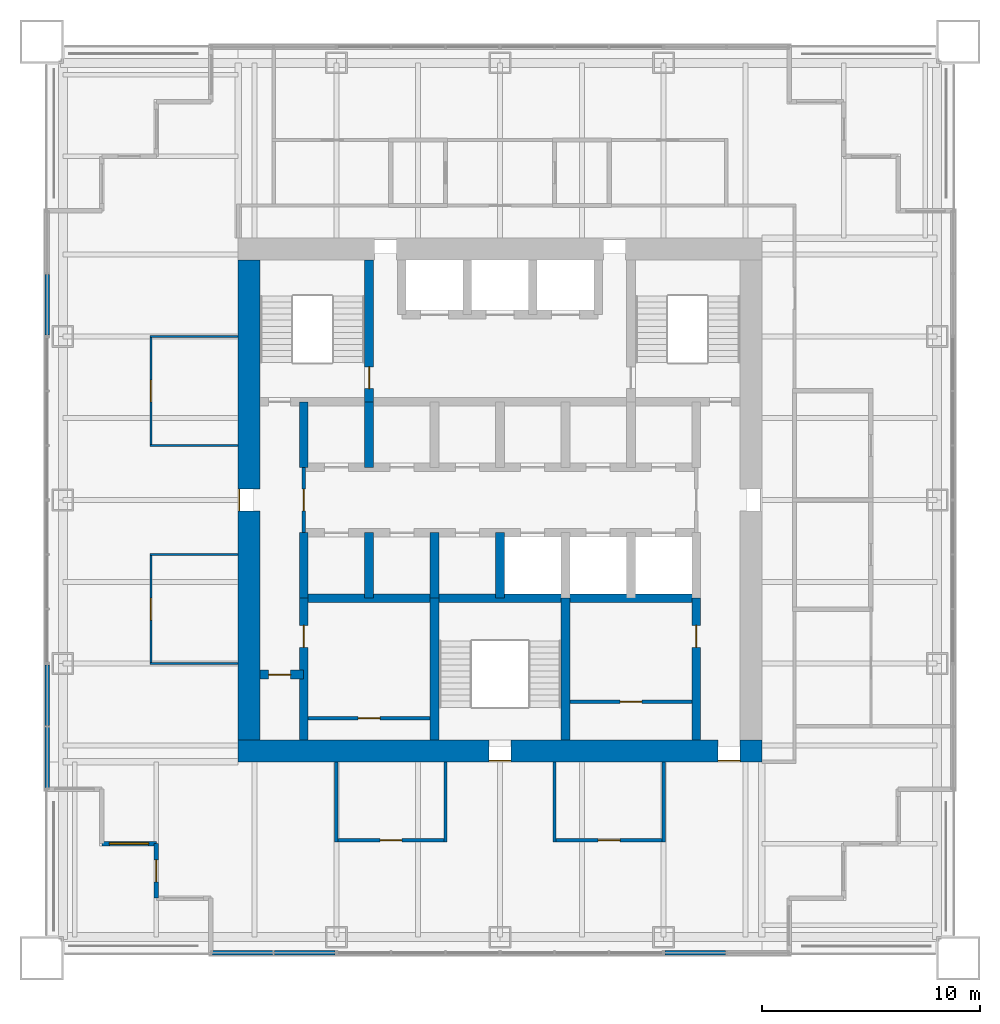
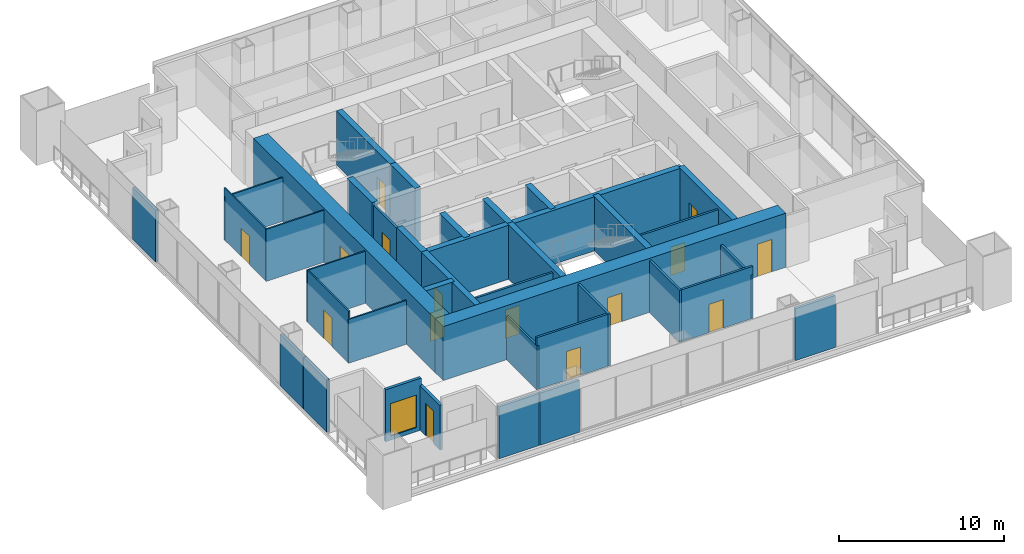
# One storey, part 9 of 14: 38 walls, 15 doors, 1 window, 16 openings.
"""IFC4 building model written with IfcOpenShell, lengths in metres."""

from ifc_helpers import new_model, si_unit, direction, frame, frame_2d, origin, place, context, subcontext, project, spatial, rectangle, extrude, material, layer, layer_set, type_object, element, fill, save


model = new_model("IFC4")

# Units and contexts
model_context = context("Model", 3, precision=1e-05, world=origin(), true_north=direction((0.0, 1.0)))
body_context = subcontext(model_context, "Body", "Model", "MODEL_VIEW")
ifc_project = project(units=[si_unit("LENGTHUNIT", "METRE"), si_unit("AREAUNIT", "SQUARE_METRE"), si_unit("VOLUMEUNIT", "CUBIC_METRE"), si_unit("PLANEANGLEUNIT", "RADIAN"), si_unit("MASSUNIT", "GRAM", prefix="KILO")], contexts=[model_context])

# Site, building, storey
site_placement = place(None, origin())
site = spatial("IfcSite", under=ifc_project, at=site_placement, CompositionType="ELEMENT")
building_placement = place(site_placement, origin())
building = spatial("IfcBuilding", under=site, at=building_placement, Name="Tarangal Relay Tower", CompositionType="ELEMENT")
storey_placement = place(building_placement, frame((0.0, 0.0, 323.89990234375)))
storey = spatial("IfcBuildingStorey", under=building, at=storey_placement, Name="L72", CompositionType="ELEMENT", Elevation=323.89990234375)

# Wall
ifc_material_1 = material(Name="Concrete fc' 60 MPa", Category="concrete")
ifc_layer_1 = layer(ifc_material_1, 0.39990234375)
ifc_layer_set_1 = layer_set([ifc_layer_1], Name="Core inner wall 400")
wall_type_1 = type_object("IfcWallType", Name="Core inner wall 400", PredefinedType="SHEAR", material=ifc_layer_set_1)
wall_1_placement = place(storey_placement, frame((-9.0, -4.5, 0.0), z_axis=(0.0, 0.0, 1.0), x_axis=(1.0, 0.0, 0.0)))
element("IfcWall", 1, at=wall_1_placement, inside=storey, type_object=wall_type_1, Name="Core wall YM45 L72", PredefinedType="SHEAR", context=body_context, shape_type="SweptSolid", body=[
    extrude(rectangle(XDim=18.0, YDim=0.39990234375, at=frame_2d((9.0, 0.0))), origin(), (0.0, 0.0, 1.0), 4.0),
])

# Wall, opening, door
wall_2_placement = place(storey_placement, frame((-11.0, -8.0, 0.0), z_axis=(0.0, 0.0, 1.0), x_axis=(1.0, 0.0, 0.0)))
wall_2 = element("IfcWall", 2, at=wall_2_placement, inside=storey, type_object=wall_type_1, Name="Core wall YM8 L72", PredefinedType="SHEAR", context=body_context, shape_type="SweptSolid", body=[
    extrude(rectangle(XDim=2.0, YDim=0.39990234375, at=frame_2d((1.0, 0.0))), origin(), (0.0, 0.0, 1.0), 4.0),
])
opening_1_placement = place(wall_2_placement, frame((0.39990234375, 0.0, 0.0)))
opening_1 = element("IfcOpeningElement", 3, at=opening_1_placement, cuts=wall_2, Name="Opening D1", PredefinedType="OPENING", context=body_context, shape_type="SweptSolid", body=[
    extrude(rectangle(XDim=1.0, YDim=2.10009765625, at=frame_2d((0.5, 1.050048828125))), frame((0.0, 0.2099609375, 0.0), z_axis=(0.0, -1.0, 0.0), x_axis=(1.0, 0.0, 0.0)), (0.0, 0.0, 1.0), 0.419921875),
])
ifc_material_2 = material(Name="Hardwood door", Category="wood")
door_type_1 = type_object("IfcDoorType", Name="WC door 1000 x 2100", OperationType="SINGLE_SWING_LEFT", PredefinedType="DOOR", material=ifc_material_2)
door_1_placement = place(opening_1_placement, origin())
door_1 = element("IfcDoor", 4, at=door_1_placement, inside=storey, type_object=door_type_1, Name="Accessible WC door L72", OperationType="SINGLE_SWING_LEFT", OverallHeight=2.10009765625, OverallWidth=1.0, PredefinedType="DOOR", context=body_context, shape_type="SweptSolid", body=[
    extrude(rectangle(XDim=1.0, YDim=2.10009765625, at=frame_2d((0.5, 1.050048828125))), frame((0.0, 0.02490234375, 0.0), z_axis=(0.0, -1.0, 0.0), x_axis=(1.0, 0.0, 0.0)), (0.0, 0.0, 1.0), 0.050048828125),
])
fill(opening_1, door_1)

# Walls
for number, where, z_axis, x_axis, name in (
    (5, (-9.0, 1.5, 0.0), (0.0, 0.0, 1.0), (0.0, 1.0, 0.0), "Core wall XM9N L72"),
    (6, (-9.0, -4.5, 0.0), (0.0, 0.0, 1.0), (0.0, 1.0, 0.0), "Core wall XM9S L72"),
    (7, (-6.0, 1.5, 0.0), (0.0, 0.0, 1.0), (0.0, 1.0, 0.0), "Core wall XM6N L72"),
    (8, (-6.0, -4.5, 0.0), (0.0, 0.0, 1.0), (0.0, 1.0, 0.0), "Core wall XM6S L72"),
    (9, (-3.0, -4.5, 0.0), (0.0, 0.0, 1.0), (0.0, 1.0, 0.0), "Core wall XM3S L72"),
    (10, (0.0, -4.5, 0.0), (0.0, 0.0, 1.0), (0.0, 1.0, 0.0), "Core wall X0S L72"),
):
    element("IfcWall", number, at=place(storey_placement, frame(where, z_axis=z_axis, x_axis=x_axis)), inside=storey, type_object=wall_type_1, Name=name, PredefinedType="SHEAR", context=body_context, shape_type="SweptSolid", body=[
        extrude(rectangle(XDim=3.0, YDim=0.39990234375, at=frame_2d((1.5, 0.0))), origin(), (0.0, 0.0, 1.0), 4.0),
    ])

# Wall, opening, door
wall_3_placement = place(storey_placement, frame((-6.0, 4.5, 0.0), z_axis=(0.0, 0.0, 1.0), x_axis=(0.0, 1.0, 0.0)))
wall_3 = element("IfcWall", 11, at=wall_3_placement, inside=storey, type_object=wall_type_1, Name="Core wall XM6 L72", PredefinedType="SHEAR", context=body_context, shape_type="SweptSolid", body=[
    extrude(rectangle(XDim=6.5, YDim=0.39990234375, at=frame_2d((3.25, 0.0))), origin(), (0.0, 0.0, 1.0), 4.0),
])
opening_2_placement = place(wall_3_placement, frame((0.60009765625, 0.0, 0.0)))
opening_2 = element("IfcOpeningElement", 12, at=opening_2_placement, cuts=wall_3, Name="Opening FD1", PredefinedType="OPENING", context=body_context, shape_type="SweptSolid", body=[
    extrude(rectangle(XDim=1.0, YDim=2.10009765625, at=frame_2d((0.5, 1.050048828125))), frame((0.0, 0.2099609375, 0.0), z_axis=(0.0, -1.0, 0.0), x_axis=(1.0, 0.0, 0.0)), (0.0, 0.0, 1.0), 0.419921875),
])
ifc_material_3 = material(Name="Steel door with hardwood frame", Category="steel")
door_type_2 = type_object("IfcDoorType", Name="Fire door 1000 x 2100", OperationType="SINGLE_SWING_LEFT", PredefinedType="DOOR", material=ifc_material_3)
door_2_placement = place(opening_2_placement, origin())
door_2 = element("IfcDoor", 13, at=door_2_placement, inside=storey, type_object=door_type_2, Name="Stair ST-A door from fire-fighting lobby L72", OperationType="SINGLE_SWING_LEFT", OverallHeight=2.10009765625, OverallWidth=1.0, PredefinedType="DOOR", context=body_context, shape_type="SweptSolid", body=[
    extrude(rectangle(XDim=1.0, YDim=2.10009765625, at=frame_2d((0.5, 1.050048828125))), frame((0.0, 0.02490234375, 0.0), z_axis=(0.0, -1.0, 0.0), x_axis=(1.0, 0.0, 0.0)), (0.0, 0.0, 1.0), 0.050048828125),
])
fill(opening_2, door_2)

wall_4_placement = place(storey_placement, frame((-9.0, -11.0, 0.0), z_axis=(0.0, 0.0, 1.0), x_axis=(0.0, 1.0, 0.0)))
wall_4 = element("IfcWall", 14, at=wall_4_placement, inside=storey, type_object=wall_type_1, Name="Core wall XM9W L72", PredefinedType="SHEAR", context=body_context, shape_type="SweptSolid", body=[
    extrude(rectangle(XDim=6.5, YDim=0.39990234375, at=frame_2d((3.25, 0.0))), origin(), (0.0, 0.0, 1.0), 4.0),
])
opening_3_placement = place(wall_4_placement, frame((4.25, 0.0, 0.0)))
opening_3 = element("IfcOpeningElement", 15, at=opening_3_placement, cuts=wall_4, Name="Opening D1", PredefinedType="OPENING", context=body_context, shape_type="SweptSolid", body=[
    extrude(rectangle(XDim=1.0, YDim=2.10009765625, at=frame_2d((0.5, 1.050048828125))), frame((0.0, 0.2099609375, 0.0), z_axis=(0.0, -1.0, 0.0), x_axis=(1.0, 0.0, 0.0)), (0.0, 0.0, 1.0), 0.419921875),
])
door_3_placement = place(opening_3_placement, origin())
door_3 = element("IfcDoor", 16, at=door_3_placement, inside=storey, type_object=door_type_1, Name="Male WC door L72", OperationType="SINGLE_SWING_LEFT", OverallHeight=2.10009765625, OverallWidth=1.0, PredefinedType="DOOR", context=body_context, shape_type="SweptSolid", body=[
    extrude(rectangle(XDim=1.0, YDim=2.10009765625, at=frame_2d((0.5, 1.050048828125))), frame((0.0, 0.02490234375, 0.0), z_axis=(0.0, -1.0, 0.0), x_axis=(1.0, 0.0, 0.0)), (0.0, 0.0, 1.0), 0.050048828125),
])
fill(opening_3, door_3)

wall_5_placement = place(storey_placement, frame((9.0, -11.0, 0.0), z_axis=(0.0, 0.0, 1.0), x_axis=(0.0, 1.0, 0.0)))
wall_5 = element("IfcWall", 17, at=wall_5_placement, inside=storey, type_object=wall_type_1, Name="Core wall X9W L72", PredefinedType="SHEAR", context=body_context, shape_type="SweptSolid", body=[
    extrude(rectangle(XDim=6.5, YDim=0.39990234375, at=frame_2d((3.25, 0.0))), origin(), (0.0, 0.0, 1.0), 4.0),
])
opening_4_placement = place(wall_5_placement, frame((4.25, 0.0, 0.0)))
opening_4 = element("IfcOpeningElement", 18, at=opening_4_placement, cuts=wall_5, Name="Opening D1", PredefinedType="OPENING", context=body_context, shape_type="SweptSolid", body=[
    extrude(rectangle(XDim=1.0, YDim=2.10009765625, at=frame_2d((0.5, 1.050048828125))), frame((0.0, 0.2099609375, 0.0), z_axis=(0.0, -1.0, 0.0), x_axis=(1.0, 0.0, 0.0)), (0.0, 0.0, 1.0), 0.419921875),
])
door_4_placement = place(opening_4_placement, origin())
door_4 = element("IfcDoor", 19, at=door_4_placement, inside=storey, type_object=door_type_1, Name="Female WC door L72", OperationType="SINGLE_SWING_LEFT", OverallHeight=2.10009765625, OverallWidth=1.0, PredefinedType="DOOR", context=body_context, shape_type="SweptSolid", body=[
    extrude(rectangle(XDim=1.0, YDim=2.10009765625, at=frame_2d((0.5, 1.050048828125))), frame((0.0, 0.02490234375, 0.0), z_axis=(0.0, -1.0, 0.0), x_axis=(1.0, 0.0, 0.0)), (0.0, 0.0, 1.0), 0.050048828125),
])
fill(opening_4, door_4)

# Walls
for number, where, z_axis, x_axis, name in (
    (20, (-3.0, -11.0, 0.0), (0.0, 0.0, 1.0), (0.0, 1.0, 0.0), "Core wall XM3W L72"),
    (21, (3.0, -11.0, 0.0), (0.0, 0.0, 1.0), (0.0, 1.0, 0.0), "Core wall X3W L72"),
):
    element("IfcWall", number, at=place(storey_placement, frame(where, z_axis=z_axis, x_axis=x_axis)), inside=storey, type_object=wall_type_1, Name=name, PredefinedType="SHEAR", context=body_context, shape_type="SweptSolid", body=[
        extrude(rectangle(XDim=6.5, YDim=0.39990234375, at=frame_2d((3.25, 0.0))), origin(), (0.0, 0.0, 1.0), 4.0),
    ])

# Wall, openings, doors
ifc_layer_2 = layer(ifc_material_1, 1.0)
ifc_layer_set_2 = layer_set([ifc_layer_2], Name="Core wall 1000")
wall_type_2 = type_object("IfcWallType", Name="Core wall 1000", PredefinedType="SHEAR", material=ifc_layer_set_2)
wall_6_placement = place(storey_placement, frame((12.0, -11.5, 0.0), z_axis=(0.0, 0.0, 1.0), x_axis=(-1.0, 0.0, 0.0)))
wall_6 = element("IfcWall", 22, at=wall_6_placement, inside=storey, type_object=wall_type_2, Name="Core wall S L72", PredefinedType="SHEAR", context=body_context, shape_type="SweptSolid", body=[
    extrude(rectangle(XDim=24.0, YDim=1.0, at=frame_2d((12.0, 0.0))), origin(), (0.0, 0.0, 1.0), 4.0),
])
opening_5_placement = place(wall_6_placement, frame((11.5, 0.0, 0.0)))
opening_5 = element("IfcOpeningElement", 23, at=opening_5_placement, cuts=wall_6, Name="Opening FD1", PredefinedType="OPENING", context=body_context, shape_type="SweptSolid", body=[
    extrude(rectangle(XDim=1.0, YDim=2.10009765625, at=frame_2d((0.5, 1.050048828125))), frame((0.0, 0.510009765625, 0.0), z_axis=(0.0, -1.0, 0.0), x_axis=(1.0, 0.0, 0.0)), (0.0, 0.0, 1.0), 1.02001953125),
])
opening_6_placement = place(wall_6_placement, frame((1.0, 0.0, 0.0)))
opening_6 = element("IfcOpeningElement", 24, at=opening_6_placement, cuts=wall_6, Name="Opening FD3", PredefinedType="OPENING", context=body_context, shape_type="SweptSolid", body=[
    extrude(rectangle(XDim=1.0, YDim=2.39990234375, at=frame_2d((0.5, 1.199951171875))), frame((0.0, 0.510009765625, 0.0), z_axis=(0.0, -1.0, 0.0), x_axis=(1.0, 0.0, 0.0)), (0.0, 0.0, 1.0), 1.02001953125),
])
door_5_placement = place(opening_5_placement, origin())
door_5 = element("IfcDoor", 25, at=door_5_placement, inside=storey, type_object=door_type_2, Name="Stair ST-C door L72", OperationType="SINGLE_SWING_LEFT", OverallHeight=2.10009765625, OverallWidth=1.0, PredefinedType="DOOR", context=body_context, shape_type="SweptSolid", body=[
    extrude(rectangle(XDim=1.0, YDim=2.10009765625, at=frame_2d((0.5, 1.050048828125))), frame((0.0, 0.48486328125, 0.0), z_axis=(0.0, -1.0, 0.0), x_axis=(1.0, 0.0, 0.0)), (0.0, 0.0, 1.0), 0.050048828125),
])
fill(opening_5, door_5)
door_type_3 = type_object("IfcDoorType", Name="Fire door 1000 x 2400 core entry", OperationType="SINGLE_SWING_RIGHT", PredefinedType="DOOR", material=ifc_material_3)
door_6_placement = place(opening_6_placement, origin())
door_6 = element("IfcDoor", 26, at=door_6_placement, inside=storey, type_object=door_type_3, Name="Core entry door south east L72", OperationType="SINGLE_SWING_RIGHT", OverallHeight=2.39990234375, OverallWidth=1.0, PredefinedType="DOOR", context=body_context, shape_type="SweptSolid", body=[
    extrude(rectangle(XDim=1.0, YDim=2.39990234375, at=frame_2d((0.5, 1.199951171875))), frame((0.0, 0.48486328125, 0.0), z_axis=(0.0, -1.0, 0.0), x_axis=(1.0, 0.0, 0.0)), (0.0, 0.0, 1.0), 0.050048828125),
])
fill(opening_6, door_6)

# Wall, opening, door
wall_7_placement = place(storey_placement, frame((-11.5, -11.0, 0.0), z_axis=(0.0, 0.0, 1.0), x_axis=(0.0, 1.0, 0.0)))
wall_7 = element("IfcWall", 27, at=wall_7_placement, inside=storey, type_object=wall_type_2, Name="Core wall W L72", PredefinedType="SHEAR", context=body_context, shape_type="SweptSolid", body=[
    extrude(rectangle(XDim=22.0, YDim=1.0, at=frame_2d((11.0, 0.0))), origin(), (0.0, 0.0, 1.0), 4.0),
])
opening_7_placement = place(wall_7_placement, frame((10.5, 0.0, 0.0)))
opening_7 = element("IfcOpeningElement", 28, at=opening_7_placement, cuts=wall_7, Name="Opening FD3", PredefinedType="OPENING", context=body_context, shape_type="SweptSolid", body=[
    extrude(rectangle(XDim=1.0, YDim=2.39990234375, at=frame_2d((0.5, 1.199951171875))), frame((0.0, 0.510009765625, 0.0), z_axis=(0.0, -1.0, 0.0), x_axis=(1.0, 0.0, 0.0)), (0.0, 0.0, 1.0), 1.02001953125),
])
door_7_placement = place(opening_7_placement, origin())
door_7 = element("IfcDoor", 29, at=door_7_placement, inside=storey, type_object=door_type_3, Name="Core entry door west L72", OperationType="SINGLE_SWING_RIGHT", OverallHeight=2.39990234375, OverallWidth=1.0, PredefinedType="DOOR", context=body_context, shape_type="SweptSolid", body=[
    extrude(rectangle(XDim=1.0, YDim=2.39990234375, at=frame_2d((0.5, 1.199951171875))), frame((0.0, 0.48486328125, 0.0), z_axis=(0.0, -1.0, 0.0), x_axis=(1.0, 0.0, 0.0)), (0.0, 0.0, 1.0), 0.050048828125),
])
fill(opening_7, door_7)

ifc_material_4 = material(Name="Black metal clad insulated wall", Category="steel")
ifc_layer_3 = layer(ifc_material_4, 0.199951171875)
ifc_layer_set_3 = layer_set([ifc_layer_3], Name="Corner wall metal clad 200")
wall_type_3 = type_object("IfcWallType", Name="Corner wall metal clad 200", PredefinedType="SOLIDWALL", material=ifc_layer_set_3)
wall_8_placement = place(storey_placement, frame((-15.75, -18.25, 0.0), z_axis=(0.0, 0.0, 1.0), x_axis=(0.0, 1.0, 0.0)))
wall_8 = element("IfcWall", 30, at=wall_8_placement, inside=storey, type_object=wall_type_3, Name="Facade wall S facade L72", PredefinedType="SOLIDWALL", context=body_context, shape_type="SweptSolid", body=[
    extrude(rectangle(XDim=2.5, YDim=0.199951171875, at=frame_2d((1.25, 0.0))), origin(), (0.0, 0.0, 1.0), 3.316650390625),
])
opening_8_placement = place(wall_8_placement, frame((0.75, 0.0, 0.0)))
opening_8 = element("IfcOpeningElement", 31, at=opening_8_placement, cuts=wall_8, Name="Opening TD1", PredefinedType="OPENING", context=body_context, shape_type="SweptSolid", body=[
    extrude(rectangle(XDim=1.0, YDim=2.39990234375, at=frame_2d((0.5, 1.199951171875))), frame((0.0, 0.10986328125, 0.0), z_axis=(0.0, -1.0, 0.0), x_axis=(1.0, 0.0, 0.0)), (0.0, 0.0, 1.0), 0.219970703125),
])
ifc_material_5 = material(Name="Aluminium glazed door", Category="aluminium")
door_type_4 = type_object("IfcDoorType", Name="Terrace door 1000 x 2400", OperationType="SINGLE_SWING_RIGHT", PredefinedType="DOOR", material=ifc_material_5)
door_8_placement = place(opening_8_placement, origin())
door_8 = element("IfcDoor", 32, at=door_8_placement, inside=storey, type_object=door_type_4, Name="Terrace door TD1 SW L72", OperationType="SINGLE_SWING_RIGHT", OverallHeight=2.39990234375, OverallWidth=1.0, PredefinedType="DOOR", context=body_context, shape_type="SweptSolid", body=[
    extrude(rectangle(XDim=1.0, YDim=2.39990234375, at=frame_2d((0.5, 1.199951171875))), frame((0.0, 0.02490234375, 0.0), z_axis=(0.0, -1.0, 0.0), x_axis=(1.0, 0.0, 0.0)), (0.0, 0.0, 1.0), 0.050048828125),
])
fill(opening_8, door_8)

# Wall, opening, window
wall_9_placement = place(storey_placement, frame((-15.75, -15.75, 0.0), z_axis=(0.0, 0.0, 1.0), x_axis=(-1.0, 0.0, 0.0)))
wall_9 = element("IfcWall", 33, at=wall_9_placement, inside=storey, type_object=wall_type_3, Name="Facade wall S facade L72", PredefinedType="SOLIDWALL", context=body_context, shape_type="SweptSolid", body=[
    extrude(rectangle(XDim=2.5, YDim=0.199951171875, at=frame_2d((1.25, 0.0))), origin(), (0.0, 0.0, 1.0), 3.85009765625),
])
opening_9_placement = place(wall_9_placement, frame((0.35009765625, 0.0, 0.300048828125)))
opening_9 = element("IfcOpeningElement", 34, at=opening_9_placement, cuts=wall_9, Name="Opening WN2", PredefinedType="OPENING", context=body_context, shape_type="SweptSolid", body=[
    extrude(rectangle(XDim=1.800048828125, YDim=2.39990234375, at=frame_2d((0.89990234375, 1.199951171875))), frame((0.0, 0.10986328125, 0.0), z_axis=(0.0, -1.0, 0.0), x_axis=(1.0, 0.0, 0.0)), (0.0, 0.0, 1.0), 0.219970703125),
])
ifc_material_6 = material(Name="Dark tinted double glazing in black aluminium frame", Category="aluminium")
window_type = type_object("IfcWindowType", Name="Corner window 1800 x 2400", PartitioningType="SINGLE_PANEL", PredefinedType="WINDOW", material=ifc_material_6)
window_placement = place(opening_9_placement, origin())
window = element("IfcWindow", 35, at=window_placement, inside=storey, type_object=window_type, Name="Corner window WN2 S facade L72", OverallHeight=2.39990234375, OverallWidth=1.800048828125, PartitioningType="SINGLE_PANEL", PredefinedType="WINDOW", context=body_context, shape_type="SweptSolid", body=[
    extrude(rectangle(XDim=1.800048828125, YDim=2.39990234375, at=frame_2d((0.89990234375, 1.199951171875))), frame((0.0, 0.030029296875, 0.0), z_axis=(0.0, -1.0, 0.0), x_axis=(1.0, 0.0, 0.0)), (0.0, 0.0, 1.0), 0.06005859375),
])
fill(opening_9, window)

# Walls
ifc_layer_4 = layer(ifc_material_4, 0.199951171875)
ifc_layer_set_4 = layer_set([ifc_layer_4], Name="Facade infill wall metal clad 200")
wall_type_4 = type_object("IfcWallType", Name="Facade infill wall metal clad 200", PredefinedType="SOLIDWALL", material=ifc_layer_set_4)
for number, where, z_axis, x_axis, name in (
    (36, (10.344970703125, -20.75, 0.0), (0.0, 0.0, 1.0), (-1.0, 0.0, 0.0), "Facade infill wall S facade L72 2.1"),
    (37, (-7.56005859375, -20.75, 0.0), (0.0, 0.0, 1.0), (-1.0, 0.0, 0.0), "Facade infill wall S facade L72 1.1"),
    (38, (-10.405029296875, -20.75, 0.0), (0.0, 0.0, 1.0), (-1.0, 0.0, 0.0), "Facade infill wall S facade L72 2.1"),
    (39, (-20.75, -13.18994140625, 0.0), (0.0, 0.0, 1.0), (0.0, 1.0, 0.0), "Facade infill wall W facade L72 1.1"),
    (40, (-20.75, -10.344970703125, 0.0), (0.0, 0.0, 1.0), (0.0, 1.0, 0.0), "Facade infill wall W facade L72 2.1"),
    (41, (-20.75, 7.56005859375, 0.0), (0.0, 0.0, 1.0), (0.0, 1.0, 0.0), "Facade infill wall W facade L72 1.1"),
):
    element("IfcWall", number, at=place(storey_placement, frame(where, z_axis=z_axis, x_axis=x_axis)), inside=storey, type_object=wall_type_4, Name=name, PredefinedType="SOLIDWALL", context=body_context, shape_type="SweptSolid", body=[
        extrude(rectangle(XDim=2.784912109375, YDim=0.199951171875, at=frame_2d((1.392578125, 0.0))), origin(), (0.0, 0.0, 1.0), 3.85009765625),
    ])
ifc_material_7 = material(Name="Double glazed aluminium framed partition", Category="aluminium")
ifc_layer_5 = layer(ifc_material_7, 0.10009765625)
ifc_layer_set_5 = layer_set([ifc_layer_5], Name="Glazed partition 100")
wall_type_5 = type_object("IfcWallType", Name="Glazed partition 100", PredefinedType="PARTITIONING", material=ifc_layer_set_5)
wall_10_placement = place(storey_placement, frame((-16.050048828125, -7.5, 0.0), z_axis=(0.0, 0.0, 1.0), x_axis=(1.0, 0.0, 0.0)))
element("IfcWall", 42, at=wall_10_placement, inside=storey, type_object=wall_type_5, Name="Partition PT3 L72", PredefinedType="PARTITIONING", context=body_context, shape_type="SweptSolid", body=[
    extrude(rectangle(XDim=4.050048828125, YDim=0.10009765625, at=frame_2d((2.02490234375, 0.0))), origin(), (0.0, 0.0, 1.0), 3.2431640625),
])
for number, where, z_axis, x_axis, name in (
    (43, (-16.050048828125, -2.5, 0.0), (0.0, 0.0, 1.0), (1.0, 0.0, 0.0), "Partition PT3 L72"),
    (44, (-16.050048828125, 2.5, 0.0), (0.0, 0.0, 1.0), (1.0, 0.0, 0.0), "Partition PT3 L72"),
):
    element("IfcWall", number, at=place(storey_placement, frame(where, z_axis=z_axis, x_axis=x_axis)), inside=storey, type_object=wall_type_5, Name=name, PredefinedType="PARTITIONING", context=body_context, shape_type="SweptSolid", body=[
        extrude(rectangle(XDim=4.050048828125, YDim=0.10009765625, at=frame_2d((2.02490234375, 0.0))), origin(), (0.0, 0.0, 1.0), 3.85009765625),
    ])
wall_11_placement = place(storey_placement, frame((-16.050048828125, 7.5, 0.0), z_axis=(0.0, 0.0, 1.0), x_axis=(1.0, 0.0, 0.0)))
element("IfcWall", 45, at=wall_11_placement, inside=storey, type_object=wall_type_5, Name="Partition PT3 L72", PredefinedType="PARTITIONING", context=body_context, shape_type="SweptSolid", body=[
    extrude(rectangle(XDim=4.050048828125, YDim=0.10009765625, at=frame_2d((2.02490234375, 0.0))), origin(), (0.0, 0.0, 1.0), 3.2431640625),
])

# Wall, opening, door
wall_12_placement = place(storey_placement, frame((-16.0, -7.550048828125, 0.0), z_axis=(0.0, 0.0, 1.0), x_axis=(0.0, 1.0, 0.0)))
wall_12 = element("IfcWall", 46, at=wall_12_placement, inside=storey, type_object=wall_type_5, Name="Partition PT3 L72", PredefinedType="PARTITIONING", context=body_context, shape_type="SweptSolid", body=[
    extrude(rectangle(XDim=5.10009765625, YDim=0.10009765625, at=frame_2d((2.550048828125, 0.0))), origin(), (0.0, 0.0, 1.0), 3.85009765625),
])
opening_10_placement = place(wall_12_placement, frame((2.050048828125, 0.0, 0.0)))
opening_10 = element("IfcOpeningElement", 47, at=opening_10_placement, cuts=wall_12, Name="Opening D3", PredefinedType="OPENING", context=body_context, shape_type="SweptSolid", body=[
    extrude(rectangle(XDim=1.0, YDim=2.10009765625, at=frame_2d((0.5, 1.050048828125))), frame((0.0, 0.06005859375, 0.0), z_axis=(0.0, -1.0, 0.0), x_axis=(1.0, 0.0, 0.0)), (0.0, 0.0, 1.0), 0.1201171875),
])
ifc_material_8 = material(Name="Frameless glass door", Category="glass")
door_type_5 = type_object("IfcDoorType", Name="Glazed door 1000 x 2100", OperationType="SINGLE_SWING_LEFT", PredefinedType="DOOR", material=ifc_material_8)
door_9_placement = place(opening_10_placement, origin())
door_9 = element("IfcDoor", 48, at=door_9_placement, inside=storey, type_object=door_type_5, Name="Door D3 to project room L72-12", OperationType="SINGLE_SWING_LEFT", OverallHeight=2.10009765625, OverallWidth=1.0, PredefinedType="DOOR", context=body_context, shape_type="SweptSolid", body=[
    extrude(rectangle(XDim=1.0, YDim=2.10009765625, at=frame_2d((0.5, 1.050048828125))), frame((0.0, 0.02490234375, 0.0), z_axis=(0.0, -1.0, 0.0), x_axis=(1.0, 0.0, 0.0)), (0.0, 0.0, 1.0), 0.050048828125),
])
fill(opening_10, door_9)

wall_13_placement = place(storey_placement, frame((-16.0, 2.449951171875, 0.0), z_axis=(0.0, 0.0, 1.0), x_axis=(0.0, 1.0, 0.0)))
wall_13 = element("IfcWall", 49, at=wall_13_placement, inside=storey, type_object=wall_type_5, Name="Partition PT3 L72", PredefinedType="PARTITIONING", context=body_context, shape_type="SweptSolid", body=[
    extrude(rectangle(XDim=5.10009765625, YDim=0.10009765625, at=frame_2d((2.550048828125, 0.0))), origin(), (0.0, 0.0, 1.0), 3.85009765625),
])
opening_11_placement = place(wall_13_placement, frame((2.050048828125, 0.0, 0.0)))
opening_11 = element("IfcOpeningElement", 50, at=opening_11_placement, cuts=wall_13, Name="Opening D3", PredefinedType="OPENING", context=body_context, shape_type="SweptSolid", body=[
    extrude(rectangle(XDim=1.0, YDim=2.10009765625, at=frame_2d((0.5, 1.050048828125))), frame((0.0, 0.06005859375, 0.0), z_axis=(0.0, -1.0, 0.0), x_axis=(1.0, 0.0, 0.0)), (0.0, 0.0, 1.0), 0.1201171875),
])
door_10_placement = place(opening_11_placement, origin())
door_10 = element("IfcDoor", 51, at=door_10_placement, inside=storey, type_object=door_type_5, Name="Door D3 to project room L72-13", OperationType="SINGLE_SWING_LEFT", OverallHeight=2.10009765625, OverallWidth=1.0, PredefinedType="DOOR", context=body_context, shape_type="SweptSolid", body=[
    extrude(rectangle(XDim=1.0, YDim=2.10009765625, at=frame_2d((0.5, 1.050048828125))), frame((0.0, 0.02490234375, 0.0), z_axis=(0.0, -1.0, 0.0), x_axis=(1.0, 0.0, 0.0)), (0.0, 0.0, 1.0), 0.050048828125),
])
fill(opening_11, door_10)

ifc_material_9 = material(Name="Gypsum board on steel studs", Category="steel")
ifc_layer_6 = layer(ifc_material_9, 0.14990234375)
ifc_layer_set_6 = layer_set([ifc_layer_6], Name="Partition 150")
wall_type_6 = type_object("IfcWallType", Name="Partition 150", PredefinedType="PARTITIONING", material=ifc_layer_set_6)
wall_14_placement = place(storey_placement, frame((-7.574951171875, -15.60009765625, 0.0), z_axis=(0.0, 0.0, 1.0), x_axis=(1.0, 0.0, 0.0)))
wall_14 = element("IfcWall", 52, at=wall_14_placement, inside=storey, type_object=wall_type_6, Name="Partition PT1 L72", PredefinedType="PARTITIONING", context=body_context, shape_type="SweptSolid", body=[
    extrude(rectangle(XDim=5.14990234375, YDim=0.14990234375, at=frame_2d((2.574951171875, 0.0))), origin(), (0.0, 0.0, 1.0), 3.85009765625),
])
opening_12_placement = place(wall_14_placement, frame((2.074951171875, 0.0, 0.0)))
opening_12 = element("IfcOpeningElement", 53, at=opening_12_placement, cuts=wall_14, Name="Opening D2", PredefinedType="OPENING", context=body_context, shape_type="SweptSolid", body=[
    extrude(rectangle(XDim=1.0, YDim=2.10009765625, at=frame_2d((0.5, 1.050048828125))), frame((0.0, 0.0849609375, 0.0), z_axis=(0.0, -1.0, 0.0), x_axis=(1.0, 0.0, 0.0)), (0.0, 0.0, 1.0), 0.169921875),
])
door_type_6 = type_object("IfcDoorType", Name="Door 1000 x 2100", OperationType="SINGLE_SWING_LEFT", PredefinedType="DOOR", material=ifc_material_2)
door_11_placement = place(opening_12_placement, origin())
door_11 = element("IfcDoor", 54, at=door_11_placement, inside=storey, type_object=door_type_6, Name="Door D2 to print room L72-11", OperationType="SINGLE_SWING_LEFT", OverallHeight=2.10009765625, OverallWidth=1.0, PredefinedType="DOOR", context=body_context, shape_type="SweptSolid", body=[
    extrude(rectangle(XDim=1.0, YDim=2.10009765625, at=frame_2d((0.5, 1.050048828125))), frame((0.0, 0.02490234375, 0.0), z_axis=(0.0, -1.0, 0.0), x_axis=(1.0, 0.0, 0.0)), (0.0, 0.0, 1.0), 0.050048828125),
])
fill(opening_12, door_11)

wall_15_placement = place(storey_placement, frame((2.425048828125, -15.60009765625, 0.0), z_axis=(0.0, 0.0, 1.0), x_axis=(1.0, 0.0, 0.0)))
wall_15 = element("IfcWall", 55, at=wall_15_placement, inside=storey, type_object=wall_type_6, Name="Partition PT1 L72", PredefinedType="PARTITIONING", context=body_context, shape_type="SweptSolid", body=[
    extrude(rectangle(XDim=5.14990234375, YDim=0.14990234375, at=frame_2d((2.574951171875, 0.0))), origin(), (0.0, 0.0, 1.0), 3.85009765625),
])
opening_13_placement = place(wall_15_placement, frame((2.074951171875, 0.0, 0.0)))
opening_13 = element("IfcOpeningElement", 56, at=opening_13_placement, cuts=wall_15, Name="Opening D2", PredefinedType="OPENING", context=body_context, shape_type="SweptSolid", body=[
    extrude(rectangle(XDim=1.0, YDim=2.10009765625, at=frame_2d((0.5, 1.050048828125))), frame((0.0, 0.0849609375, 0.0), z_axis=(0.0, -1.0, 0.0), x_axis=(1.0, 0.0, 0.0)), (0.0, 0.0, 1.0), 0.169921875),
])
door_12_placement = place(opening_13_placement, origin())
door_12 = element("IfcDoor", 57, at=door_12_placement, inside=storey, type_object=door_type_6, Name="Door D2 to tea pantry L72-10", OperationType="SINGLE_SWING_LEFT", OverallHeight=2.10009765625, OverallWidth=1.0, PredefinedType="DOOR", context=body_context, shape_type="SweptSolid", body=[
    extrude(rectangle(XDim=1.0, YDim=2.10009765625, at=frame_2d((0.5, 1.050048828125))), frame((0.0, 0.02490234375, 0.0), z_axis=(0.0, -1.0, 0.0), x_axis=(1.0, 0.0, 0.0)), (0.0, 0.0, 1.0), 0.050048828125),
])
fill(opening_13, door_12)

# Walls
wall_16_placement = place(storey_placement, frame((-7.5, -15.675048828125, 0.0), z_axis=(0.0, 0.0, 1.0), x_axis=(0.0, 1.0, 0.0)))
element("IfcWall", 58, at=wall_16_placement, inside=storey, type_object=wall_type_6, Name="Partition PT1 L72", PredefinedType="PARTITIONING", context=body_context, shape_type="SweptSolid", body=[
    extrude(rectangle(XDim=3.675048828125, YDim=0.14990234375, at=frame_2d((1.83740234375, 0.0))), origin(), (0.0, 0.0, 1.0), 3.2431640625),
])
for number, where, z_axis, x_axis, name in (
    (59, (-2.5, -15.675048828125, 0.0), (0.0, 0.0, 1.0), (0.0, 1.0, 0.0), "Partition PT1 L72"),
    (60, (2.5, -15.675048828125, 0.0), (0.0, 0.0, 1.0), (0.0, 1.0, 0.0), "Partition PT1 L72"),
):
    element("IfcWall", number, at=place(storey_placement, frame(where, z_axis=z_axis, x_axis=x_axis)), inside=storey, type_object=wall_type_6, Name=name, PredefinedType="PARTITIONING", context=body_context, shape_type="SweptSolid", body=[
        extrude(rectangle(XDim=3.675048828125, YDim=0.14990234375, at=frame_2d((1.83740234375, 0.0))), origin(), (0.0, 0.0, 1.0), 3.85009765625),
    ])
wall_17_placement = place(storey_placement, frame((7.5, -15.675048828125, 0.0), z_axis=(0.0, 0.0, 1.0), x_axis=(0.0, 1.0, 0.0)))
element("IfcWall", 61, at=wall_17_placement, inside=storey, type_object=wall_type_6, Name="Partition PT1 L72", PredefinedType="PARTITIONING", context=body_context, shape_type="SweptSolid", body=[
    extrude(rectangle(XDim=3.675048828125, YDim=0.14990234375, at=frame_2d((1.83740234375, 0.0))), origin(), (0.0, 0.0, 1.0), 3.2431640625),
])

# Wall, opening, door
wall_18_placement = place(storey_placement, frame((-8.800048828125, -10.0, 0.0), z_axis=(0.0, 0.0, 1.0), x_axis=(1.0, 0.0, 0.0)))
wall_18 = element("IfcWall", 62, at=wall_18_placement, inside=storey, type_object=wall_type_6, Name="Partition PT1 L72", PredefinedType="PARTITIONING", context=body_context, shape_type="SweptSolid", body=[
    extrude(rectangle(XDim=5.60009765625, YDim=0.14990234375, at=frame_2d((2.800048828125, 0.0))), origin(), (0.0, 0.0, 1.0), 3.75),
])
opening_14_placement = place(wall_18_placement, frame((2.300048828125, 0.0, 0.0)))
opening_14 = element("IfcOpeningElement", 63, at=opening_14_placement, cuts=wall_18, Name="Opening D1", PredefinedType="OPENING", context=body_context, shape_type="SweptSolid", body=[
    extrude(rectangle(XDim=1.0, YDim=2.10009765625, at=frame_2d((0.5, 1.050048828125))), frame((0.0, 0.0849609375, 0.0), z_axis=(0.0, -1.0, 0.0), x_axis=(1.0, 0.0, 0.0)), (0.0, 0.0, 1.0), 0.169921875),
])
door_13_placement = place(opening_14_placement, origin())
door_13 = element("IfcDoor", 64, at=door_13_placement, inside=storey, type_object=door_type_1, Name="Door D1 to male shower room L72-C7B", OperationType="SINGLE_SWING_LEFT", OverallHeight=2.10009765625, OverallWidth=1.0, PredefinedType="DOOR", context=body_context, shape_type="SweptSolid", body=[
    extrude(rectangle(XDim=1.0, YDim=2.10009765625, at=frame_2d((0.5, 1.050048828125))), frame((0.0, 0.02490234375, 0.0), z_axis=(0.0, -1.0, 0.0), x_axis=(1.0, 0.0, 0.0)), (0.0, 0.0, 1.0), 0.050048828125),
])
fill(opening_14, door_13)

wall_19_placement = place(storey_placement, frame((3.199951171875, -9.25, 0.0), z_axis=(0.0, 0.0, 1.0), x_axis=(1.0, 0.0, 0.0)))
wall_19 = element("IfcWall", 65, at=wall_19_placement, inside=storey, type_object=wall_type_6, Name="Partition PT1 L72", PredefinedType="PARTITIONING", context=body_context, shape_type="SweptSolid", body=[
    extrude(rectangle(XDim=5.60009765625, YDim=0.14990234375, at=frame_2d((2.800048828125, 0.0))), origin(), (0.0, 0.0, 1.0), 3.75),
])
opening_15_placement = place(wall_19_placement, frame((2.300048828125, 0.0, 0.0)))
opening_15 = element("IfcOpeningElement", 66, at=opening_15_placement, cuts=wall_19, Name="Opening D1", PredefinedType="OPENING", context=body_context, shape_type="SweptSolid", body=[
    extrude(rectangle(XDim=1.0, YDim=2.10009765625, at=frame_2d((0.5, 1.050048828125))), frame((0.0, 0.0849609375, 0.0), z_axis=(0.0, -1.0, 0.0), x_axis=(1.0, 0.0, 0.0)), (0.0, 0.0, 1.0), 0.169921875),
])
door_14_placement = place(opening_15_placement, origin())
door_14 = element("IfcDoor", 67, at=door_14_placement, inside=storey, type_object=door_type_1, Name="Door D1 to female shower and changing room L72-C10B", OperationType="SINGLE_SWING_LEFT", OverallHeight=2.10009765625, OverallWidth=1.0, PredefinedType="DOOR", context=body_context, shape_type="SweptSolid", body=[
    extrude(rectangle(XDim=1.0, YDim=2.10009765625, at=frame_2d((0.5, 1.050048828125))), frame((0.0, 0.02490234375, 0.0), z_axis=(0.0, -1.0, 0.0), x_axis=(1.0, 0.0, 0.0)), (0.0, 0.0, 1.0), 0.050048828125),
])
fill(opening_15, door_14)

wall_20_placement = place(storey_placement, frame((-9.0, -1.5, 0.0), z_axis=(0.0, 0.0, 1.0), x_axis=(0.0, 1.0, 0.0)))
wall_20 = element("IfcWall", 68, at=wall_20_placement, inside=storey, type_object=wall_type_6, Name="Partition PT1 L72", PredefinedType="PARTITIONING", context=body_context, shape_type="SweptSolid", body=[
    extrude(rectangle(XDim=3.0, YDim=0.14990234375, at=frame_2d((1.5, 0.0))), origin(), (0.0, 0.0, 1.0), 3.75),
])
opening_16_placement = place(wall_20_placement, frame((1.0, 0.0, 0.0)))
opening_16 = element("IfcOpeningElement", 69, at=opening_16_placement, cuts=wall_20, Name="Opening FD3", PredefinedType="OPENING", context=body_context, shape_type="SweptSolid", body=[
    extrude(rectangle(XDim=1.0, YDim=2.39990234375, at=frame_2d((0.5, 1.199951171875))), frame((0.0, 0.0849609375, 0.0), z_axis=(0.0, -1.0, 0.0), x_axis=(1.0, 0.0, 0.0)), (0.0, 0.0, 1.0), 0.169921875),
])
door_15_placement = place(opening_16_placement, origin())
door_15 = element("IfcDoor", 70, at=door_15_placement, inside=storey, type_object=door_type_3, Name="Lift lobby door FD3 to the west corridor L72", OperationType="SINGLE_SWING_RIGHT", OverallHeight=2.39990234375, OverallWidth=1.0, PredefinedType="DOOR", context=body_context, shape_type="SweptSolid", body=[
    extrude(rectangle(XDim=1.0, YDim=2.39990234375, at=frame_2d((0.5, 1.199951171875))), frame((0.0, 0.02490234375, 0.0), z_axis=(0.0, -1.0, 0.0), x_axis=(1.0, 0.0, 0.0)), (0.0, 0.0, 1.0), 0.050048828125),
])
fill(opening_16, door_15)

save(model, "model.ifc")
